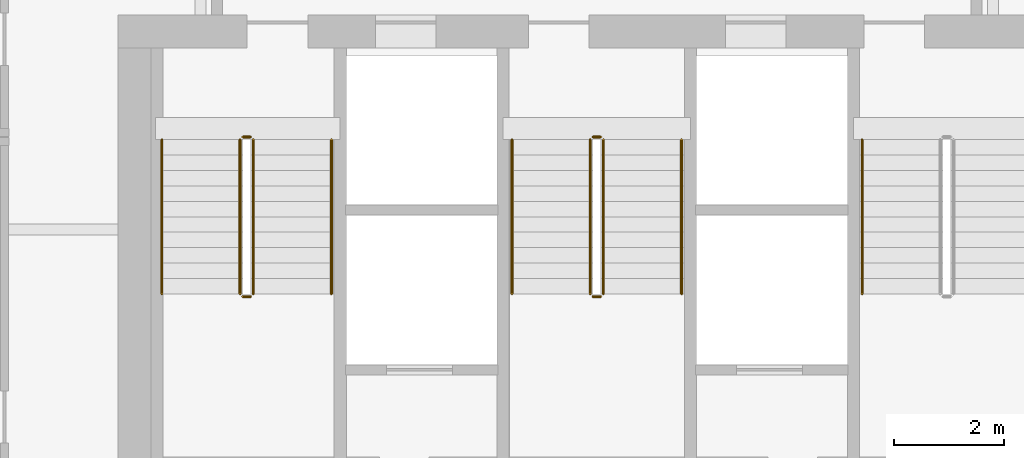
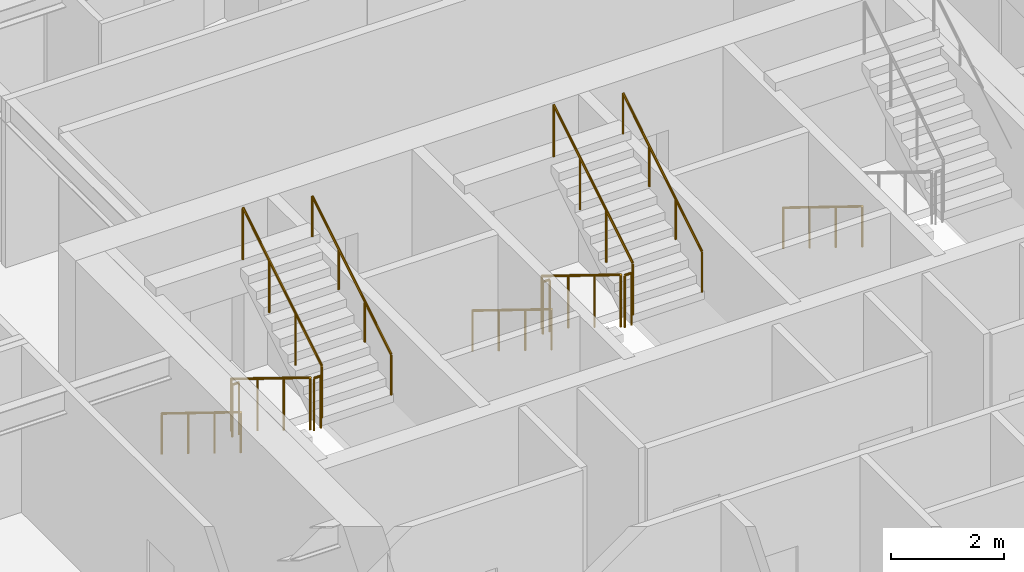
# One storey, part 12 of 13: 13 railings.
"""IFC4 building model written with IfcOpenShell, lengths in metres."""

import ifcopenshell
import ifcopenshell.guid

model = None  # the IFC model being written
_history = None  # IfcOwnerHistory: only IFC2X3 demands one
_inside = {}  # id of a spatial element -> (the spatial element, [elements in it])
_under = {}  # id of a project, library or spatial element -> (it, [spatial elements below it])
_declared = {}  # id of a project -> (the project, [libraries it declares])
_typed = {}  # id of a type object -> (the type object, [elements of that type])
_made_of = {}  # id of a material, layer set ... -> (it, [elements and type objects made of it])


def new_model(schema):
    """Start an empty IFC model of exactly this schema.

    Asked for "IFC4X3", IfcOpenShell would pick the latest addendum, in which some entities
    have other attributes; the version numbers below select the first issue.
    IFC2X3 requires an IfcOwnerHistory on every rooted entity: one is made here for all.
    """
    global model, _history
    if schema == "IFC4X3":
        model = ifcopenshell.file(schema_version=(4, 3, 0, 0))
    else:
        model = ifcopenshell.file(schema=schema)
    _inside.clear()
    _under.clear()
    _declared.clear()
    _typed.clear()
    _made_of.clear()
    _history = None
    if model.schema == "IFC2X3":
        org = make("IfcOrganization", Name="unknown")
        user = make(
            "IfcPersonAndOrganization",
            ThePerson=make("IfcPerson", FamilyName="unknown"),
            TheOrganization=org,
        )
        app = make(
            "IfcApplication",
            ApplicationDeveloper=org,
            Version="unknown",
            ApplicationFullName="unknown",
            ApplicationIdentifier="unknown",
        )
        _history = make(
            "IfcOwnerHistory",
            OwningUser=user,
            OwningApplication=app,
            ChangeAction="ADDED",
            CreationDate=0,
        )
    return model


def make(cls, **values):
    """One entity of the class cls with the attributes given. An attribute that is None is left unset."""
    return model.create_entity(
        cls, **{name: value for name, value in values.items() if value is not None}
    )


def rooted(cls, **values):
    """An entity with a GlobalId (a new one), such as an element, a storey or a relation."""
    return make(cls, GlobalId=ifcopenshell.guid.new(), OwnerHistory=_history, **values)


def si_unit(unit_type, name, prefix=None):
    """IfcSIUnit, for example si_unit("LENGTHUNIT", "METRE", prefix="MILLI")."""
    return make("IfcSIUnit", UnitType=unit_type, Prefix=prefix, Name=name)


def assignment(units):
    """IfcUnitAssignment: the units of a project."""
    return None if units is None else make("IfcUnitAssignment", Units=units)


def point(xyz):
    """IfcCartesianPoint."""
    return None if xyz is None else make("IfcCartesianPoint", Coordinates=xyz)


def direction(xyz):
    """IfcDirection."""
    return None if xyz is None else make("IfcDirection", DirectionRatios=xyz)


def frame(location, z_axis=None, x_axis=None):
    """IfcAxis2Placement3D, a coordinate frame: its origin and axes. An axis left out is left unset."""
    return make(
        "IfcAxis2Placement3D",
        Location=point(location),
        Axis=direction(z_axis),
        RefDirection=direction(x_axis),
    )


def frame_2d(location, x_axis=None):
    """IfcAxis2Placement2D, a coordinate frame in the plane: its origin and x axis."""
    return make(
        "IfcAxis2Placement2D", Location=point(location), RefDirection=direction(x_axis)
    )


def origin():
    """The frame at (0, 0, 0) with its axes left unset."""
    return frame((0.0, 0.0, 0.0))


def origin_2d():
    """The frame at (0, 0) in the plane with its x axis left unset."""
    return frame_2d((0.0, 0.0))


def place(relative_to, where):
    """IfcLocalPlacement: puts the frame where relative to a parent placement (None: the world)."""
    return make(
        "IfcLocalPlacement", PlacementRelTo=relative_to, RelativePlacement=where
    )


def context(
    kind, dimensions, precision=None, world=None, true_north=None, identifier=None
):
    """IfcGeometricRepresentationContext, for example the 3D "Model" context."""
    return make(
        "IfcGeometricRepresentationContext",
        ContextIdentifier=identifier,
        ContextType=kind,
        CoordinateSpaceDimension=dimensions,
        Precision=precision,
        WorldCoordinateSystem=world,
        TrueNorth=true_north,
    )


def subcontext(parent, identifier, kind, view, scale=None):
    """IfcGeometricRepresentationSubContext, for example "Body" below "Model"."""
    return make(
        "IfcGeometricRepresentationSubContext",
        ContextIdentifier=identifier,
        ContextType=kind,
        ParentContext=parent,
        TargetScale=scale,
        TargetView=view,
    )


def project(units=None, contexts=None):
    """IfcProject with its units and contexts."""
    return rooted(
        "IfcProject",
        Name="project",
        RepresentationContexts=contexts,
        UnitsInContext=assignment(units),
    )


def spatial(cls, under=None, at=None, **own):
    """A site, building, storey or space (cls), placed at a placement, below another one or the project."""
    s = rooted(cls, ObjectPlacement=at, **own)
    if under is not None:
        _under.setdefault(under.id(), (under, []))[1].append(s)
    return s


def profile(cls, at=None, kind="AREA", **sizes):
    """A parametric profile (cls). Its sizes go by their IFC names, for example OverallWidth=200.0."""
    return make(cls, ProfileType=kind, Position=at, **sizes)


def circle(**sizes):
    """IfcCircleProfileDef."""
    return profile("IfcCircleProfileDef", **sizes)


def extrude(swept, where, along, depth):
    """IfcExtrudedAreaSolid: the profile swept, set in the frame where, extruded along a direction by depth."""
    return make(
        "IfcExtrudedAreaSolid",
        SweptArea=swept,
        Position=where,
        ExtrudedDirection=direction(along),
        Depth=depth,
    )


def shape(context_of_items, identifier, shape_type, items):
    """IfcShapeRepresentation: the items that make up one representation, for example the "Body"."""
    return make(
        "IfcShapeRepresentation",
        ContextOfItems=context_of_items,
        RepresentationIdentifier=identifier,
        RepresentationType=shape_type,
        Items=items,
    )


def material(Name=None, Category=None):
    """IfcMaterial."""
    return make("IfcMaterial", Name=Name, Category=Category)


def made_of(thing, what):
    """Note that an element or type object is made of a material, layer set ...; save() writes the relation."""
    if what is not None:
        _made_of.setdefault(what.id(), (what, []))[1].append(thing)
    return thing


def type_object(cls, material=None, **own):
    """A type object (cls), such as IfcWallType, which elements share."""
    return made_of(rooted(cls, **own), material)


def element(
    cls,
    number,
    at=None,
    inside=None,
    cuts=None,
    type_object=None,
    material=None,
    context=None,
    identifier="Body",
    shape_type=None,
    held_by="IfcProductDefinitionShape",
    body=None,
    shapes=None,
    **own,
):
    """One element of the class cls, such as IfcWall. Its Tag is "e" and its number.

    at: its placement. inside: the storey or other place that contains it. cuts: it is an
    opening in that element (IfcRelVoidsElement). A single representation is given by context,
    identifier, shape_type and body (its items); several are given by shapes. held_by: the class
    of the entity that holds the representations. save() writes the other relations.
    """
    e = rooted(cls, Tag="e%d" % number, ObjectPlacement=at, **own)
    if body is not None:
        shapes = [shape(context, identifier, shape_type, body)]
    if shapes is not None:
        e.Representation = make(held_by, Representations=shapes)
    if inside is not None:
        _inside.setdefault(inside.id(), (inside, []))[1].append(e)
    if cuts is not None:
        rooted(
            "IfcRelVoidsElement", RelatingBuildingElement=cuts, RelatedOpeningElement=e
        )
    if type_object is not None:
        _typed.setdefault(type_object.id(), (type_object, []))[1].append(e)
    return made_of(e, material)


def aggregate(whole, parts):
    """IfcRelAggregates: a whole, such as a stair, and the parts it consists of."""
    return rooted("IfcRelAggregates", RelatingObject=whole, RelatedObjects=parts)


def save(model, path):
    """Write the relations noted so far, then the file.

    IfcRelAggregates (storeys below a building ...), IfcRelContainedInSpatialStructure (elements
    in a storey), IfcRelDefinesByType, IfcRelAssociatesMaterial and IfcRelDeclares: one each for
    every whole, place, type object, material and project.
    """
    for whole, parts in _under.values():
        aggregate(whole, parts)
    for where, things in _inside.values():
        rooted(
            "IfcRelContainedInSpatialStructure",
            RelatedElements=things,
            RelatingStructure=where,
        )
    for kind, things in _typed.values():
        rooted("IfcRelDefinesByType", RelatedObjects=things, RelatingType=kind)
    for what, things in _made_of.values():
        rooted("IfcRelAssociatesMaterial", RelatedObjects=things, RelatingMaterial=what)
    for by, libraries in _declared.values():
        rooted("IfcRelDeclares", RelatingContext=by, RelatedDefinitions=libraries)
    model.write(path)


model = new_model("IFC4")

# Units and contexts
model_context = context("Model", 3, precision=1e-05, world=origin(), true_north=direction((0.0, 1.0)))
body_context = subcontext(model_context, "Body", "Model", "MODEL_VIEW")
ifc_project = project(units=[si_unit("LENGTHUNIT", "METRE"), si_unit("AREAUNIT", "SQUARE_METRE"), si_unit("VOLUMEUNIT", "CUBIC_METRE"), si_unit("PLANEANGLEUNIT", "RADIAN"), si_unit("MASSUNIT", "GRAM", prefix="KILO")], contexts=[model_context])

# Site, building, storey
site_placement = place(None, origin())
site = spatial("IfcSite", under=ifc_project, at=site_placement, CompositionType="ELEMENT")
building_placement = place(site_placement, origin())
building = spatial("IfcBuilding", under=site, at=building_placement, Name="Haolan Belvedere Tower", CompositionType="ELEMENT")
storey_placement = place(building_placement, frame((0.0, 0.0, 219.199951171875)))
storey = spatial("IfcBuildingStorey", under=building, at=storey_placement, Name="L55", CompositionType="ELEMENT", Elevation=219.199951171875)

# Railings
ifc_material = material(Name="Brushed stainless steel 304", Category="steel")
railing_type_1 = type_object("IfcRailingType", Name="RL-STAIR-GRD-1150", PredefinedType="GUARDRAIL", material=ifc_material)
railing_1_placement = place(storey_placement, frame((31.919921875, 41.22998046875, 0.1728515625)))
element("IfcRailing", 1, at=railing_1_placement, inside=storey, type_object=railing_type_1, Name="L55 ST1 stair guard 1", PredefinedType="GUARDRAIL", context=body_context, shape_type="SweptSolid", body=[
    extrude(circle(Radius=0.02392578125, at=origin_2d()), frame((0.0, 0.0, 1.1259765625), z_axis=(0.0, -0.851089632645, 0.525020415988), x_axis=(1.0, 0.0, 0.0)), (0.0, 0.0, 1.0), 3.2900390625),
    extrude(circle(Radius=0.02099609375, at=origin_2d()), origin(), (0.0, 0.0, 1.0), 1.101806640625),
    extrude(circle(Radius=0.02099609375, at=origin_2d()), frame((0.0, -0.933349609375, 0.57568359375)), (0.0, 0.0, 1.0), 1.101806640625),
    extrude(circle(Radius=0.02099609375, at=origin_2d()), frame((0.0, -1.86669921875, 1.151611328125)), (0.0, 0.0, 1.0), 1.101806640625),
    extrude(circle(Radius=0.02099609375, at=origin_2d()), frame((0.0, -2.800048828125, 1.727294921875)), (0.0, 0.0, 1.0), 1.101806640625),
])
railing_2_placement = place(storey_placement, frame((31.969970703125, 38.3798828125, 1.900146484375)))
element("IfcRailing", 2, at=railing_2_placement, inside=storey, type_object=railing_type_1, Name="L55 ST1 stair guard 2", PredefinedType="GUARDRAIL", context=body_context, shape_type="SweptSolid", body=[
    extrude(circle(Radius=0.02392578125, at=origin_2d()), frame((0.0, 0.0, 1.1259765625), z_axis=(1.0, 0.0, 0.0), x_axis=(0.0, 1.0, 0.0)), (0.0, 0.0, 1.0), 0.14013671875),
    extrude(circle(Radius=0.02099609375, at=origin_2d()), origin(), (0.0, 0.0, 1.0), 1.101806640625),
    extrude(circle(Radius=0.02099609375, at=origin_2d()), frame((0.14013671875, 0.0, 0.0)), (0.0, 0.0, 1.0), 1.101806640625),
])
railing_3_placement = place(storey_placement, frame((32.159912109375, 38.429931640625, 2.07275390625)))
element("IfcRailing", 3, at=railing_3_placement, inside=storey, type_object=railing_type_1, Name="L55 ST1 stair guard 3", PredefinedType="GUARDRAIL", context=body_context, shape_type="SweptSolid", body=[
    extrude(circle(Radius=0.02392578125, at=origin_2d()), frame((0.0, 0.0, 1.1259765625), z_axis=(0.0, 0.851089632645, 0.525020415988), x_axis=(-1.0, 0.0, 0.0)), (0.0, 0.0, 1.0), 3.2900390625),
    extrude(circle(Radius=0.02099609375, at=origin_2d()), origin(), (0.0, 0.0, 1.0), 1.101806640625),
    extrude(circle(Radius=0.02099609375, at=origin_2d()), frame((0.0, 0.933349609375, 0.57568359375)), (0.0, 0.0, 1.0), 1.101806640625),
    extrude(circle(Radius=0.02099609375, at=origin_2d()), frame((0.0, 1.86669921875, 1.151611328125)), (0.0, 0.0, 1.0), 1.101806640625),
    extrude(circle(Radius=0.02099609375, at=origin_2d()), frame((0.0, 2.800048828125, 1.727294921875)), (0.0, 0.0, 1.0), 1.101806640625),
])
railing_4_placement = place(storey_placement, frame((31.969970703125, 41.280029296875, 0.0)))
element("IfcRailing", 4, at=railing_4_placement, inside=storey, type_object=railing_type_1, Name="L55 ST1 stair guard 4", PredefinedType="GUARDRAIL", context=body_context, shape_type="SweptSolid", body=[
    extrude(circle(Radius=0.02392578125, at=origin_2d()), frame((0.0, 0.0, 1.1259765625), z_axis=(1.0, 0.0, 0.0), x_axis=(0.0, 1.0, 0.0)), (0.0, 0.0, 1.0), 0.14013671875),
    extrude(circle(Radius=0.02099609375, at=origin_2d()), origin(), (0.0, 0.0, 1.0), 1.101806640625),
    extrude(circle(Radius=0.02099609375, at=origin_2d()), frame((0.14013671875, 0.0, 0.0)), (0.0, 0.0, 1.0), 1.101806640625),
])
railing_5_placement = place(storey_placement, frame((38.280029296875, 41.22998046875, 0.1728515625)))
element("IfcRailing", 5, at=railing_5_placement, inside=storey, type_object=railing_type_1, Name="L55 ST3 stair guard 1", PredefinedType="GUARDRAIL", context=body_context, shape_type="SweptSolid", body=[
    extrude(circle(Radius=0.02392578125, at=origin_2d()), frame((0.0, 0.0, 1.1259765625), z_axis=(0.0, -0.851089632645, 0.525020415988), x_axis=(1.0, 0.0, 0.0)), (0.0, 0.0, 1.0), 3.2900390625),
    extrude(circle(Radius=0.02099609375, at=origin_2d()), origin(), (0.0, 0.0, 1.0), 1.101806640625),
    extrude(circle(Radius=0.02099609375, at=origin_2d()), frame((0.0, -0.933349609375, 0.57568359375)), (0.0, 0.0, 1.0), 1.101806640625),
    extrude(circle(Radius=0.02099609375, at=origin_2d()), frame((0.0, -1.86669921875, 1.151611328125)), (0.0, 0.0, 1.0), 1.101806640625),
    extrude(circle(Radius=0.02099609375, at=origin_2d()), frame((0.0, -2.800048828125, 1.727294921875)), (0.0, 0.0, 1.0), 1.101806640625),
])
railing_6_placement = place(storey_placement, frame((38.330078125, 38.3798828125, 1.900146484375)))
element("IfcRailing", 6, at=railing_6_placement, inside=storey, type_object=railing_type_1, Name="L55 ST3 stair guard 2", PredefinedType="GUARDRAIL", context=body_context, shape_type="SweptSolid", body=[
    extrude(circle(Radius=0.02392578125, at=origin_2d()), frame((0.0, 0.0, 1.1259765625), z_axis=(1.0, 0.0, 0.0), x_axis=(0.0, 1.0, 0.0)), (0.0, 0.0, 1.0), 0.139892578125),
    extrude(circle(Radius=0.02099609375, at=origin_2d()), origin(), (0.0, 0.0, 1.0), 1.101806640625),
    extrude(circle(Radius=0.02099609375, at=origin_2d()), frame((0.139892578125, 0.0, 0.0)), (0.0, 0.0, 1.0), 1.101806640625),
])
railing_7_placement = place(storey_placement, frame((38.52001953125, 38.429931640625, 2.07275390625)))
element("IfcRailing", 7, at=railing_7_placement, inside=storey, type_object=railing_type_1, Name="L55 ST3 stair guard 3", PredefinedType="GUARDRAIL", context=body_context, shape_type="SweptSolid", body=[
    extrude(circle(Radius=0.02392578125, at=origin_2d()), frame((0.0, 0.0, 1.1259765625), z_axis=(0.0, 0.851089632645, 0.525020415988), x_axis=(-1.0, 0.0, 0.0)), (0.0, 0.0, 1.0), 3.2900390625),
    extrude(circle(Radius=0.02099609375, at=origin_2d()), origin(), (0.0, 0.0, 1.0), 1.101806640625),
    extrude(circle(Radius=0.02099609375, at=origin_2d()), frame((0.0, 0.933349609375, 0.57568359375)), (0.0, 0.0, 1.0), 1.101806640625),
    extrude(circle(Radius=0.02099609375, at=origin_2d()), frame((0.0, 1.86669921875, 1.151611328125)), (0.0, 0.0, 1.0), 1.101806640625),
    extrude(circle(Radius=0.02099609375, at=origin_2d()), frame((0.0, 2.800048828125, 1.727294921875)), (0.0, 0.0, 1.0), 1.101806640625),
])
railing_8_placement = place(storey_placement, frame((38.330078125, 41.280029296875, 0.0)))
element("IfcRailing", 8, at=railing_8_placement, inside=storey, type_object=railing_type_1, Name="L55 ST3 stair guard 4", PredefinedType="GUARDRAIL", context=body_context, shape_type="SweptSolid", body=[
    extrude(circle(Radius=0.02392578125, at=origin_2d()), frame((0.0, 0.0, 1.1259765625), z_axis=(1.0, 0.0, 0.0), x_axis=(0.0, 1.0, 0.0)), (0.0, 0.0, 1.0), 0.139892578125),
    extrude(circle(Radius=0.02099609375, at=origin_2d()), origin(), (0.0, 0.0, 1.0), 1.101806640625),
    extrude(circle(Radius=0.02099609375, at=origin_2d()), frame((0.139892578125, 0.0, 0.0)), (0.0, 0.0, 1.0), 1.101806640625),
])
railing_type_2 = type_object("IfcRailingType", Name="RL-STAIR-HND-900", PredefinedType="HANDRAIL", material=ifc_material)
railing_9_placement = place(storey_placement, frame((30.5, 41.22998046875, 0.1728515625)))
element("IfcRailing", 9, at=railing_9_placement, inside=storey, type_object=railing_type_2, Name="L55 ST1 stair handrail 1", PredefinedType="HANDRAIL", context=body_context, shape_type="SweptSolid", body=[
    extrude(circle(Radius=0.02392578125, at=origin_2d()), frame((0.0, 0.0, 0.8759765625), z_axis=(0.0, -0.851089632645, 0.525020415988), x_axis=(1.0, 0.0, 0.0)), (0.0, 0.0, 1.0), 3.2900390625),
    extrude(circle(Radius=0.02099609375, at=origin_2d()), origin(), (0.0, 0.0, 1.0), 0.851806640625),
    extrude(circle(Radius=0.02099609375, at=origin_2d()), frame((0.0, -0.933349609375, 0.57568359375)), (0.0, 0.0, 1.0), 0.851806640625),
    extrude(circle(Radius=0.02099609375, at=origin_2d()), frame((0.0, -1.86669921875, 1.151611328125)), (0.0, 0.0, 1.0), 0.851806640625),
    extrude(circle(Radius=0.02099609375, at=origin_2d()), frame((0.0, -2.800048828125, 1.727294921875)), (0.0, 0.0, 1.0), 0.851806640625),
])
railing_10_placement = place(storey_placement, frame((33.580078125, 38.429931640625, 2.07275390625)))
element("IfcRailing", 10, at=railing_10_placement, inside=storey, type_object=railing_type_2, Name="L55 ST1 stair handrail 2", PredefinedType="HANDRAIL", context=body_context, shape_type="SweptSolid", body=[
    extrude(circle(Radius=0.02392578125, at=origin_2d()), frame((0.0, 0.0, 0.8759765625), z_axis=(0.0, 0.851089632645, 0.525020415988), x_axis=(-1.0, 0.0, 0.0)), (0.0, 0.0, 1.0), 3.2900390625),
    extrude(circle(Radius=0.02099609375, at=origin_2d()), origin(), (0.0, 0.0, 1.0), 0.851806640625),
    extrude(circle(Radius=0.02099609375, at=origin_2d()), frame((0.0, 0.933349609375, 0.57568359375)), (0.0, 0.0, 1.0), 0.851806640625),
    extrude(circle(Radius=0.02099609375, at=origin_2d()), frame((0.0, 1.86669921875, 1.151611328125)), (0.0, 0.0, 1.0), 0.851806640625),
    extrude(circle(Radius=0.02099609375, at=origin_2d()), frame((0.0, 2.800048828125, 1.727294921875)), (0.0, 0.0, 1.0), 0.851806640625),
])
railing_11_placement = place(storey_placement, frame((36.860107421875, 41.22998046875, 0.1728515625)))
element("IfcRailing", 11, at=railing_11_placement, inside=storey, type_object=railing_type_2, Name="L55 ST3 stair handrail 1", PredefinedType="HANDRAIL", context=body_context, shape_type="SweptSolid", body=[
    extrude(circle(Radius=0.02392578125, at=origin_2d()), frame((0.0, 0.0, 0.8759765625), z_axis=(0.0, -0.851089632645, 0.525020415988), x_axis=(1.0, 0.0, 0.0)), (0.0, 0.0, 1.0), 3.2900390625),
    extrude(circle(Radius=0.02099609375, at=origin_2d()), origin(), (0.0, 0.0, 1.0), 0.851806640625),
    extrude(circle(Radius=0.02099609375, at=origin_2d()), frame((0.0, -0.933349609375, 0.57568359375)), (0.0, 0.0, 1.0), 0.851806640625),
    extrude(circle(Radius=0.02099609375, at=origin_2d()), frame((0.0, -1.86669921875, 1.151611328125)), (0.0, 0.0, 1.0), 0.851806640625),
    extrude(circle(Radius=0.02099609375, at=origin_2d()), frame((0.0, -2.800048828125, 1.727294921875)), (0.0, 0.0, 1.0), 0.851806640625),
])
railing_12_placement = place(storey_placement, frame((39.93994140625, 38.429931640625, 2.07275390625)))
element("IfcRailing", 12, at=railing_12_placement, inside=storey, type_object=railing_type_2, Name="L55 ST3 stair handrail 2", PredefinedType="HANDRAIL", context=body_context, shape_type="SweptSolid", body=[
    extrude(circle(Radius=0.02392578125, at=origin_2d()), frame((0.0, 0.0, 0.8759765625), z_axis=(0.0, 0.851089632645, 0.525020415988), x_axis=(-1.0, 0.0, 0.0)), (0.0, 0.0, 1.0), 3.2900390625),
    extrude(circle(Radius=0.02099609375, at=origin_2d()), origin(), (0.0, 0.0, 1.0), 0.851806640625),
    extrude(circle(Radius=0.02099609375, at=origin_2d()), frame((0.0, 0.933349609375, 0.57568359375)), (0.0, 0.0, 1.0), 0.851806640625),
    extrude(circle(Radius=0.02099609375, at=origin_2d()), frame((0.0, 1.86669921875, 1.151611328125)), (0.0, 0.0, 1.0), 0.851806640625),
    extrude(circle(Radius=0.02099609375, at=origin_2d()), frame((0.0, 2.800048828125, 1.727294921875)), (0.0, 0.0, 1.0), 0.851806640625),
])
railing_13_placement = place(storey_placement, frame((43.219970703125, 41.22998046875, 0.1728515625)))
element("IfcRailing", 13, at=railing_13_placement, inside=storey, type_object=railing_type_2, Name="L55 ST2 stair handrail 1", PredefinedType="HANDRAIL", context=body_context, shape_type="SweptSolid", body=[
    extrude(circle(Radius=0.02392578125, at=origin_2d()), frame((0.0, 0.0, 0.8759765625), z_axis=(0.0, -0.851089632645, 0.525020415988), x_axis=(1.0, 0.0, 0.0)), (0.0, 0.0, 1.0), 3.2900390625),
    extrude(circle(Radius=0.02099609375, at=origin_2d()), origin(), (0.0, 0.0, 1.0), 0.851806640625),
    extrude(circle(Radius=0.02099609375, at=origin_2d()), frame((0.0, -0.933349609375, 0.57568359375)), (0.0, 0.0, 1.0), 0.851806640625),
    extrude(circle(Radius=0.02099609375, at=origin_2d()), frame((0.0, -1.86669921875, 1.151611328125)), (0.0, 0.0, 1.0), 0.851806640625),
    extrude(circle(Radius=0.02099609375, at=origin_2d()), frame((0.0, -2.800048828125, 1.727294921875)), (0.0, 0.0, 1.0), 0.851806640625),
])

save(model, "model.ifc")
